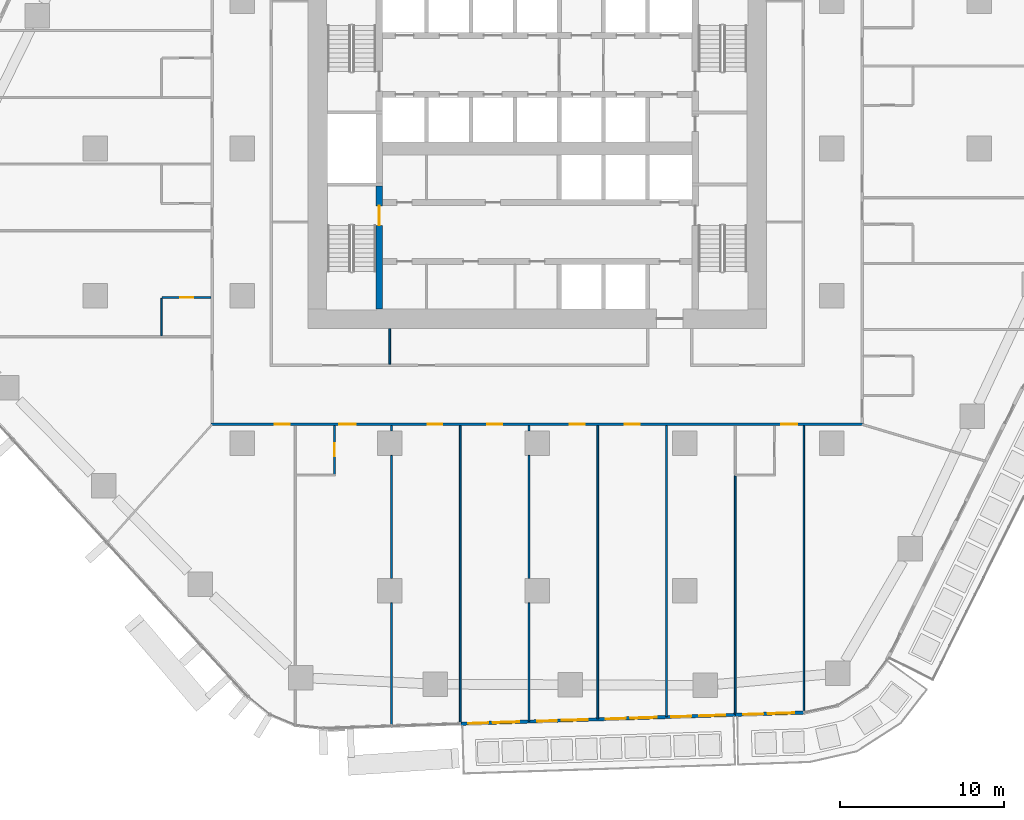
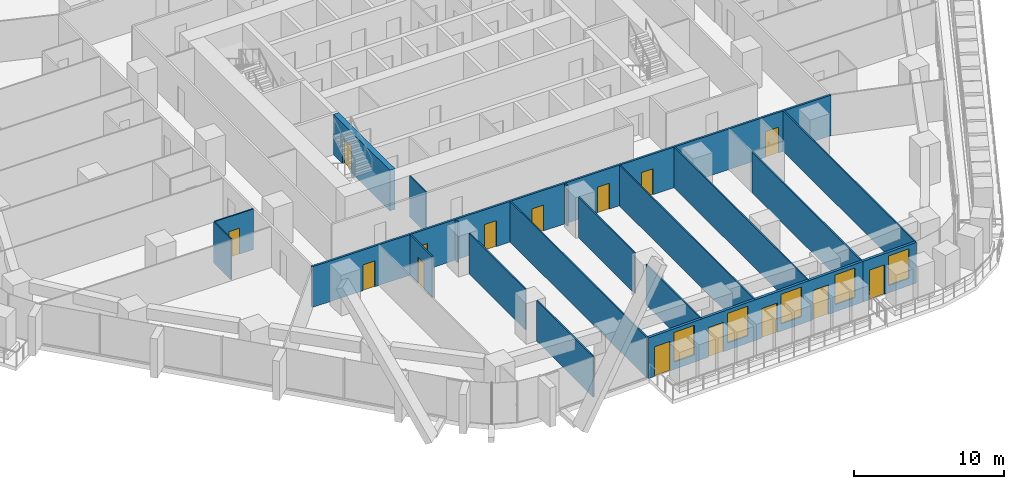
# One storey, part 13 of 27: 19 walls, 15 doors, 5 windows, 20 openings.
"""IFC4 building model written with IfcOpenShell, lengths in metres."""

from ifc_helpers import new_model, si_unit, direction, frame, frame_2d, origin, place, context, subcontext, project, spatial, rectangle, extrude, material, layer, layer_set, type_object, element, fill, save


model = new_model("IFC4")

# Units and contexts
model_context = context("Model", 3, precision=1e-05, world=origin(), true_north=direction((0.0, 1.0)))
body_context = subcontext(model_context, "Body", "Model", "MODEL_VIEW")
ifc_project = project(units=[si_unit("LENGTHUNIT", "METRE"), si_unit("AREAUNIT", "SQUARE_METRE"), si_unit("VOLUMEUNIT", "CUBIC_METRE"), si_unit("PLANEANGLEUNIT", "RADIAN"), si_unit("MASSUNIT", "GRAM", prefix="KILO")], contexts=[model_context])

# Site, building, storey
site_placement = place(None, origin())
site = spatial("IfcSite", under=ifc_project, at=site_placement, CompositionType="ELEMENT")
building_placement = place(site_placement, origin())
building = spatial("IfcBuilding", under=site, at=building_placement, Name="Dongbaek Canopy Tower", CompositionType="ELEMENT")
storey_placement = place(building_placement, frame((0.0, 0.0, 62.5)))
storey = spatial("IfcBuildingStorey", under=building, at=storey_placement, Name="L11", CompositionType="ELEMENT", Elevation=62.5)

# Wall, openings, doors
ifc_material_1 = material(Name="Gypsum board partition, steel stud, 2 x 15 mm fire board", Category="steel")
ifc_layer_1 = layer(ifc_material_1, 0.14990234375)
ifc_layer_set_1 = layer_set([ifc_layer_1], Name="Fire-rated partition 150 gypsum board")
wall_type_1 = type_object("IfcWallType", Name="Fire-rated partition 150 gypsum board", PredefinedType="PARTITIONING", material=ifc_layer_set_1)
wall_1_placement = place(storey_placement, frame((19.925048828125, -16.85009765625, 0.0), z_axis=(0.0, 0.0, 1.0), x_axis=(-1.0, 0.0, 0.0)))
wall_1 = element("IfcWall", 1, at=wall_1_placement, inside=storey, type_object=wall_type_1, Name="Corridor partition", PredefinedType="PARTITIONING", context=body_context, shape_type="SweptSolid", body=[
    extrude(rectangle(XDim=39.85009765625, YDim=0.14990234375, at=frame_2d((19.925048828125, 0.0))), origin(), (0.0, 0.0, 1.0), 3.300048828125),
])
opening_1_placement = place(wall_1_placement, frame((35.040771484375, 0.0, 0.0)))
opening_1 = element("IfcOpeningElement", 2, at=opening_1_placement, cuts=wall_1, Name="Opening L11-D006", PredefinedType="OPENING", context=body_context, shape_type="SweptSolid", body=[
    extrude(rectangle(XDim=0.89990234375, YDim=2.10009765625, at=frame_2d((0.449951171875, 1.050048828125))), frame((0.0, 0.0849609375, 0.0), z_axis=(0.0, -1.0, 0.0), x_axis=(1.0, 0.0, 0.0)), (0.0, 0.0, 1.0), 0.169921875),
])
opening_2_placement = place(wall_1_placement, frame((30.99951171875, 0.0, 0.0)))
opening_2 = element("IfcOpeningElement", 3, at=opening_2_placement, cuts=wall_1, Name="Opening L11-D008", PredefinedType="OPENING", context=body_context, shape_type="SweptSolid", body=[
    extrude(rectangle(XDim=1.0, YDim=2.10009765625, at=frame_2d((0.5, 1.050048828125))), frame((0.0, 0.0849609375, 0.0), z_axis=(0.0, -1.0, 0.0), x_axis=(1.0, 0.0, 0.0)), (0.0, 0.0, 1.0), 0.169921875),
])
opening_3_placement = place(wall_1_placement, frame((25.711181640625, 0.0, 0.0)))
opening_3 = element("IfcOpeningElement", 4, at=opening_3_placement, cuts=wall_1, Name="Opening L11-D009", PredefinedType="OPENING", context=body_context, shape_type="SweptSolid", body=[
    extrude(rectangle(XDim=0.89990234375, YDim=2.10009765625, at=frame_2d((0.449951171875, 1.050048828125))), frame((0.0, 0.0849609375, 0.0), z_axis=(0.0, -1.0, 0.0), x_axis=(1.0, 0.0, 0.0)), (0.0, 0.0, 1.0), 0.169921875),
])
opening_4_placement = place(wall_1_placement, frame((22.072021484375, 0.0, 0.0)))
opening_4 = element("IfcOpeningElement", 5, at=opening_4_placement, cuts=wall_1, Name="Opening L11-D010", PredefinedType="OPENING", context=body_context, shape_type="SweptSolid", body=[
    extrude(rectangle(XDim=0.89990234375, YDim=2.10009765625, at=frame_2d((0.449951171875, 1.050048828125))), frame((0.0, 0.0849609375, 0.0), z_axis=(0.0, -1.0, 0.0), x_axis=(1.0, 0.0, 0.0)), (0.0, 0.0, 1.0), 0.169921875),
])
opening_5_placement = place(wall_1_placement, frame((17.03369140625, 0.0, 0.0)))
opening_5 = element("IfcOpeningElement", 6, at=opening_5_placement, cuts=wall_1, Name="Opening L11-D011", PredefinedType="OPENING", context=body_context, shape_type="SweptSolid", body=[
    extrude(rectangle(XDim=0.89990234375, YDim=2.10009765625, at=frame_2d((0.449951171875, 1.050048828125))), frame((0.0, 0.0849609375, 0.0), z_axis=(0.0, -1.0, 0.0), x_axis=(1.0, 0.0, 0.0)), (0.0, 0.0, 1.0), 0.169921875),
])
opening_6_placement = place(wall_1_placement, frame((13.674560546875, 0.0, 0.0)))
opening_6 = element("IfcOpeningElement", 7, at=opening_6_placement, cuts=wall_1, Name="Opening L11-D012", PredefinedType="OPENING", context=body_context, shape_type="SweptSolid", body=[
    extrude(rectangle(XDim=0.89990234375, YDim=2.10009765625, at=frame_2d((0.449951171875, 1.050048828125))), frame((0.0, 0.0849609375, 0.0), z_axis=(0.0, -1.0, 0.0), x_axis=(1.0, 0.0, 0.0)), (0.0, 0.0, 1.0), 0.169921875),
])
opening_7_placement = place(wall_1_placement, frame((4.031494140625, 0.0, 0.0)))
opening_7 = element("IfcOpeningElement", 8, at=opening_7_placement, cuts=wall_1, Name="Opening L11-D014", PredefinedType="OPENING", context=body_context, shape_type="SweptSolid", body=[
    extrude(rectangle(XDim=1.0, YDim=2.10009765625, at=frame_2d((0.5, 1.050048828125))), frame((0.0, 0.0849609375, 0.0), z_axis=(0.0, -1.0, 0.0), x_axis=(1.0, 0.0, 0.0)), (0.0, 0.0, 1.0), 0.169921875),
])
ifc_material_2 = material(Name="Timber veneered door leaf", Category="wood")
door_type_1 = type_object("IfcDoorType", Name="Guest room door 1000 x 2100", OperationType="SINGLE_SWING_LEFT", PredefinedType="DOOR", material=ifc_material_2)
door_1_placement = place(opening_2_placement, origin())
door_1 = element("IfcDoor", 9, at=door_1_placement, inside=storey, type_object=door_type_1, Name="Door L11-D008", OperationType="SINGLE_SWING_RIGHT", OverallHeight=2.10009765625, OverallWidth=1.0, PredefinedType="DOOR", context=body_context, shape_type="SweptSolid", body=[
    extrude(rectangle(XDim=1.0, YDim=2.10009765625, at=frame_2d((0.5, 1.050048828125))), frame((0.0, 0.02490234375, 0.0), z_axis=(0.0, -1.0, 0.0), x_axis=(1.0, 0.0, 0.0)), (0.0, 0.0, 1.0), 0.050048828125),
])
fill(opening_2, door_1)
door_2_placement = place(opening_7_placement, origin())
door_2 = element("IfcDoor", 10, at=door_2_placement, inside=storey, type_object=door_type_1, Name="Door L11-D014", OperationType="SINGLE_SWING_RIGHT", OverallHeight=2.10009765625, OverallWidth=1.0, PredefinedType="DOOR", context=body_context, shape_type="SweptSolid", body=[
    extrude(rectangle(XDim=1.0, YDim=2.10009765625, at=frame_2d((0.5, 1.050048828125))), frame((0.0, 0.02490234375, 0.0), z_axis=(0.0, -1.0, 0.0), x_axis=(1.0, 0.0, 0.0)), (0.0, 0.0, 1.0), 0.050048828125),
])
fill(opening_7, door_2)
ifc_material_3 = material(Name="Timber veneered door leaf", Category="wood")
door_type_2 = type_object("IfcDoorType", Name="Room door 900 x 2100", OperationType="SINGLE_SWING_LEFT", PredefinedType="DOOR", material=ifc_material_3)
door_3_placement = place(opening_1_placement, origin())
door_3 = element("IfcDoor", 11, at=door_3_placement, inside=storey, type_object=door_type_2, Name="Door L11-D006", OperationType="SINGLE_SWING_LEFT", OverallHeight=2.10009765625, OverallWidth=0.89990234375, PredefinedType="DOOR", context=body_context, shape_type="SweptSolid", body=[
    extrude(rectangle(XDim=0.89990234375, YDim=2.10009765625, at=frame_2d((0.449951171875, 1.050048828125))), frame((0.0, 0.02490234375, 0.0), z_axis=(0.0, -1.0, 0.0), x_axis=(1.0, 0.0, 0.0)), (0.0, 0.0, 1.0), 0.050048828125),
])
fill(opening_1, door_3)
door_4_placement = place(opening_3_placement, origin())
door_4 = element("IfcDoor", 12, at=door_4_placement, inside=storey, type_object=door_type_2, Name="Door L11-D009", OperationType="SINGLE_SWING_LEFT", OverallHeight=2.10009765625, OverallWidth=0.89990234375, PredefinedType="DOOR", context=body_context, shape_type="SweptSolid", body=[
    extrude(rectangle(XDim=0.89990234375, YDim=2.10009765625, at=frame_2d((0.449951171875, 1.050048828125))), frame((0.0, 0.02490234375, 0.0), z_axis=(0.0, -1.0, 0.0), x_axis=(1.0, 0.0, 0.0)), (0.0, 0.0, 1.0), 0.050048828125),
])
fill(opening_3, door_4)
door_5_placement = place(opening_4_placement, origin())
door_5 = element("IfcDoor", 13, at=door_5_placement, inside=storey, type_object=door_type_2, Name="Door L11-D010", OperationType="SINGLE_SWING_RIGHT", OverallHeight=2.10009765625, OverallWidth=0.89990234375, PredefinedType="DOOR", context=body_context, shape_type="SweptSolid", body=[
    extrude(rectangle(XDim=0.89990234375, YDim=2.10009765625, at=frame_2d((0.449951171875, 1.050048828125))), frame((0.0, 0.02490234375, 0.0), z_axis=(0.0, -1.0, 0.0), x_axis=(1.0, 0.0, 0.0)), (0.0, 0.0, 1.0), 0.050048828125),
])
fill(opening_4, door_5)
door_6_placement = place(opening_5_placement, origin())
door_6 = element("IfcDoor", 14, at=door_6_placement, inside=storey, type_object=door_type_2, Name="Door L11-D011", OperationType="SINGLE_SWING_LEFT", OverallHeight=2.10009765625, OverallWidth=0.89990234375, PredefinedType="DOOR", context=body_context, shape_type="SweptSolid", body=[
    extrude(rectangle(XDim=0.89990234375, YDim=2.10009765625, at=frame_2d((0.449951171875, 1.050048828125))), frame((0.0, 0.02490234375, 0.0), z_axis=(0.0, -1.0, 0.0), x_axis=(1.0, 0.0, 0.0)), (0.0, 0.0, 1.0), 0.050048828125),
])
fill(opening_5, door_6)
door_7_placement = place(opening_6_placement, origin())
door_7 = element("IfcDoor", 15, at=door_7_placement, inside=storey, type_object=door_type_2, Name="Door L11-D012", OperationType="SINGLE_SWING_RIGHT", OverallHeight=2.10009765625, OverallWidth=0.89990234375, PredefinedType="DOOR", context=body_context, shape_type="SweptSolid", body=[
    extrude(rectangle(XDim=0.89990234375, YDim=2.10009765625, at=frame_2d((0.449951171875, 1.050048828125))), frame((0.0, 0.02490234375, 0.0), z_axis=(0.0, -1.0, 0.0), x_axis=(1.0, 0.0, 0.0)), (0.0, 0.0, 1.0), 0.050048828125),
])
fill(opening_6, door_7)

# Wall, opening, door
ifc_material_4 = material(Name="Gypsum board partition, steel stud, 2 x 12.5 mm board", Category="steel")
ifc_layer_2 = layer(ifc_material_4, 0.10009765625)
ifc_layer_set_2 = layer_set([ifc_layer_2], Name="Partition 100 gypsum board")
wall_type_2 = type_object("IfcWallType", Name="Partition 100 gypsum board", PredefinedType="PARTITIONING", material=ifc_layer_set_2)
wall_2_placement = place(storey_placement, frame((-19.925048828125, -9.097900390625, 0.0), z_axis=(0.0, 0.0, 1.0), x_axis=(-1.0, 0.0, 0.0)))
wall_2 = element("IfcWall", 16, at=wall_2_placement, inside=storey, type_object=wall_type_2, Name="Partition", PredefinedType="PARTITIONING", context=body_context, shape_type="SweptSolid", body=[
    extrude(rectangle(XDim=2.974853515625, YDim=0.10009765625, at=frame_2d((1.4873046875, 0.0))), origin(), (0.0, 0.0, 1.0), 3.300048828125),
])
opening_8_placement = place(wall_2_placement, frame((1.074951171875, 0.0, 0.0)))
opening_8 = element("IfcOpeningElement", 17, at=opening_8_placement, cuts=wall_2, Name="Opening L11-D003", PredefinedType="OPENING", context=body_context, shape_type="SweptSolid", body=[
    extrude(rectangle(XDim=0.800048828125, YDim=2.10009765625, at=frame_2d((0.39990234375, 1.050048828125))), frame((0.0, 0.06005859375, 0.0), z_axis=(0.0, -1.0, 0.0), x_axis=(1.0, 0.0, 0.0)), (0.0, 0.0, 1.0), 0.1201171875),
])
ifc_material_5 = material(Name="Timber veneered door leaf", Category="wood")
door_type_3 = type_object("IfcDoorType", Name="En-suite door 800 x 2100", OperationType="SINGLE_SWING_LEFT", PredefinedType="DOOR", material=ifc_material_5)
door_8_placement = place(opening_8_placement, origin())
door_8 = element("IfcDoor", 18, at=door_8_placement, inside=storey, type_object=door_type_3, Name="Door L11-D003", OperationType="SINGLE_SWING_RIGHT", OverallHeight=2.10009765625, OverallWidth=0.800048828125, PredefinedType="DOOR", context=body_context, shape_type="SweptSolid", body=[
    extrude(rectangle(XDim=0.800048828125, YDim=2.10009765625, at=frame_2d((0.39990234375, 1.050048828125))), frame((0.0, 0.02490234375, 0.0), z_axis=(0.0, -1.0, 0.0), x_axis=(1.0, 0.0, 0.0)), (0.0, 0.0, 1.0), 0.050048828125),
])
fill(opening_8, door_8)

# Walls
wall_3_placement = place(storey_placement, frame((16.2890625, -34.429931640625, 0.0), z_axis=(0.0, 0.0, 1.0), x_axis=(0.0, 1.0, 0.0)))
element("IfcWall", 19, at=wall_3_placement, inside=storey, type_object=wall_type_2, Name="Partition", PredefinedType="PARTITIONING", context=body_context, shape_type="SweptSolid", body=[
    extrude(rectangle(XDim=17.5048828125, YDim=0.10009765625, at=frame_2d((8.75244140625, 0.0))), origin(), (0.0, 0.0, 1.0), 3.300048828125),
])
wall_4_placement = place(storey_placement, frame((12.09912109375, -34.5673828125, 0.0), z_axis=(0.0, 0.0, 1.0), x_axis=(0.0, 1.0, 0.0)))
element("IfcWall", 20, at=wall_4_placement, inside=storey, type_object=wall_type_2, Name="Partition", PredefinedType="PARTITIONING", context=body_context, shape_type="SweptSolid", body=[
    extrude(rectangle(XDim=14.5673828125, YDim=0.10009765625, at=frame_2d((7.28369140625, 0.0))), origin(), (0.0, 0.0, 1.0), 3.300048828125),
])
wall_5_placement = place(storey_placement, frame((7.89990234375, -34.704345703125, 0.0), z_axis=(0.0, 0.0, 1.0), x_axis=(0.0, 1.0, 0.0)))
element("IfcWall", 21, at=wall_5_placement, inside=storey, type_object=wall_type_2, Name="Partition", PredefinedType="PARTITIONING", context=body_context, shape_type="SweptSolid", body=[
    extrude(rectangle(XDim=17.779296875, YDim=0.10009765625, at=frame_2d((8.8896484375, 0.0))), origin(), (0.0, 0.0, 1.0), 3.300048828125),
])
wall_6_placement = place(storey_placement, frame((3.700927734375, -34.841552734375, 0.0), z_axis=(0.0, 0.0, 1.0), x_axis=(0.0, 1.0, 0.0)))
element("IfcWall", 22, at=wall_6_placement, inside=storey, type_object=wall_type_2, Name="Partition", PredefinedType="PARTITIONING", context=body_context, shape_type="SweptSolid", body=[
    extrude(rectangle(XDim=17.91650390625, YDim=0.10009765625, at=frame_2d((8.958251953125, 0.0))), origin(), (0.0, 0.0, 1.0), 3.300048828125),
])
wall_7_placement = place(storey_placement, frame((-0.498046875, -34.978759765625, 0.0), z_axis=(0.0, 0.0, 1.0), x_axis=(0.0, 1.0, 0.0)))
element("IfcWall", 23, at=wall_7_placement, inside=storey, type_object=wall_type_2, Name="Partition", PredefinedType="PARTITIONING", context=body_context, shape_type="SweptSolid", body=[
    extrude(rectangle(XDim=7.228759765625, YDim=0.10009765625, at=frame_2d((3.6142578125, 0.0))), origin(), (0.0, 0.0, 1.0), 3.300048828125),
])
wall_8_placement = place(storey_placement, frame((-0.498046875, -26.25, 0.0), z_axis=(0.0, 0.0, 1.0), x_axis=(0.0, 1.0, 0.0)))
element("IfcWall", 24, at=wall_8_placement, inside=storey, type_object=wall_type_2, Name="Partition", PredefinedType="PARTITIONING", context=body_context, shape_type="SweptSolid", body=[
    extrude(rectangle(XDim=7.5, YDim=0.10009765625, at=frame_2d((3.75, 0.0))), origin(), (0.0, 0.0, 1.0), 3.300048828125),
])
wall_9_placement = place(storey_placement, frame((-0.498046875, -17.25, 0.0), z_axis=(0.0, 0.0, 1.0), x_axis=(0.0, 1.0, 0.0)))
element("IfcWall", 25, at=wall_9_placement, inside=storey, type_object=wall_type_2, Name="Partition", PredefinedType="PARTITIONING", context=body_context, shape_type="SweptSolid", body=[
    extrude(rectangle(XDim=0.324951171875, YDim=0.10009765625, at=frame_2d((0.16259765625, 0.0))), origin(), (0.0, 0.0, 1.0), 3.300048828125),
])
wall_10_placement = place(storey_placement, frame((-4.696044921875, -35.11572265625, 0.0), z_axis=(0.0, 0.0, 1.0), x_axis=(0.0, 1.0, 0.0)))
element("IfcWall", 26, at=wall_10_placement, inside=storey, type_object=wall_type_2, Name="Partition", PredefinedType="PARTITIONING", context=body_context, shape_type="SweptSolid", body=[
    extrude(rectangle(XDim=18.190673828125, YDim=0.10009765625, at=frame_2d((9.09521484375, 0.0))), origin(), (0.0, 0.0, 1.0), 3.300048828125),
])
wall_11_placement = place(storey_placement, frame((-8.89501953125, -35.2529296875, 0.0), z_axis=(0.0, 0.0, 1.0), x_axis=(0.0, 1.0, 0.0)))
element("IfcWall", 27, at=wall_11_placement, inside=storey, type_object=wall_type_2, Name="Partition", PredefinedType="PARTITIONING", context=body_context, shape_type="SweptSolid", body=[
    extrude(rectangle(XDim=7.5029296875, YDim=0.10009765625, at=frame_2d((3.75146484375, 0.0))), origin(), (0.0, 0.0, 1.0), 3.300048828125),
])
wall_12_placement = place(storey_placement, frame((-8.89501953125, -26.25, 0.0), z_axis=(0.0, 0.0, 1.0), x_axis=(0.0, 1.0, 0.0)))
element("IfcWall", 28, at=wall_12_placement, inside=storey, type_object=wall_type_2, Name="Partition", PredefinedType="PARTITIONING", context=body_context, shape_type="SweptSolid", body=[
    extrude(rectangle(XDim=7.5, YDim=0.10009765625, at=frame_2d((3.75, 0.0))), origin(), (0.0, 0.0, 1.0), 3.300048828125),
])
wall_13_placement = place(storey_placement, frame((-8.89501953125, -17.25, 0.0), z_axis=(0.0, 0.0, 1.0), x_axis=(0.0, 1.0, 0.0)))
element("IfcWall", 29, at=wall_13_placement, inside=storey, type_object=wall_type_2, Name="Partition", PredefinedType="PARTITIONING", context=body_context, shape_type="SweptSolid", body=[
    extrude(rectangle(XDim=0.324951171875, YDim=0.10009765625, at=frame_2d((0.16259765625, 0.0))), origin(), (0.0, 0.0, 1.0), 3.300048828125),
])
wall_14_placement = place(storey_placement, frame((-9.0, -13.175048828125, 0.0), z_axis=(0.0, 0.0, 1.0), x_axis=(0.0, 1.0, 0.0)))
element("IfcWall", 30, at=wall_14_placement, inside=storey, type_object=wall_type_2, Name="Partition", PredefinedType="PARTITIONING", context=body_context, shape_type="SweptSolid", body=[
    extrude(rectangle(XDim=2.175048828125, YDim=0.10009765625, at=frame_2d((1.08740234375, 0.0))), origin(), (0.0, 0.0, 1.0), 3.300048828125),
])

# Wall, opening, door
wall_15_placement = place(storey_placement, frame((-12.3740234375, -19.89990234375, 0.0), z_axis=(0.0, 0.0, 1.0), x_axis=(0.0, 1.0, 0.0)))
wall_15 = element("IfcWall", 31, at=wall_15_placement, inside=storey, type_object=wall_type_2, Name="Partition", PredefinedType="PARTITIONING", context=body_context, shape_type="SweptSolid", body=[
    extrude(rectangle(XDim=2.974853515625, YDim=0.10009765625, at=frame_2d((1.4873046875, 0.0))), origin(), (0.0, 0.0, 1.0), 3.300048828125),
])
opening_9_placement = place(wall_15_placement, frame((1.10009765625, 0.0, 0.0)))
opening_9 = element("IfcOpeningElement", 32, at=opening_9_placement, cuts=wall_15, Name="Opening L11-D007", PredefinedType="OPENING", context=body_context, shape_type="SweptSolid", body=[
    extrude(rectangle(XDim=0.800048828125, YDim=2.10009765625, at=frame_2d((0.39990234375, 1.050048828125))), frame((0.0, 0.06005859375, 0.0), z_axis=(0.0, -1.0, 0.0), x_axis=(1.0, 0.0, 0.0)), (0.0, 0.0, 1.0), 0.1201171875),
])
door_9_placement = place(opening_9_placement, origin())
door_9 = element("IfcDoor", 33, at=door_9_placement, inside=storey, type_object=door_type_3, Name="Door L11-D007", OperationType="SINGLE_SWING_LEFT", OverallHeight=2.10009765625, OverallWidth=0.800048828125, PredefinedType="DOOR", context=body_context, shape_type="SweptSolid", body=[
    extrude(rectangle(XDim=0.800048828125, YDim=2.10009765625, at=frame_2d((0.39990234375, 1.050048828125))), frame((0.0, 0.02490234375, 0.0), z_axis=(0.0, -1.0, 0.0), x_axis=(1.0, 0.0, 0.0)), (0.0, 0.0, 1.0), 0.050048828125),
])
fill(opening_9, door_9)

# Wall
wall_16_placement = place(storey_placement, frame((-22.949951171875, -11.447509765625, 0.0), z_axis=(0.0, 0.0, 1.0), x_axis=(0.0, 1.0, 0.0)))
element("IfcWall", 34, at=wall_16_placement, inside=storey, type_object=wall_type_2, Name="Partition", PredefinedType="PARTITIONING", context=body_context, shape_type="SweptSolid", body=[
    extrude(rectangle(XDim=2.2998046875, YDim=0.10009765625, at=frame_2d((1.14990234375, 0.0))), origin(), (0.0, 0.0, 1.0), 3.300048828125),
])

# Wall, opening, door
ifc_material_6 = material(Name="Concrete C60/75", Category="concrete")
ifc_layer_3 = layer(ifc_material_6, 0.39990234375)
ifc_layer_set_3 = layer_set([ifc_layer_3], Name="Stair wall 400 Concrete C60/75")
wall_type_3 = type_object("IfcWallType", Name="Stair wall 400 Concrete C60/75", PredefinedType="SHEAR", material=ifc_layer_set_3)
wall_17_placement = place(storey_placement, frame((-9.64990234375, -9.800048828125, 0.0), z_axis=(0.0, 0.0, 1.0), x_axis=(0.0, 1.0, 0.0)))
wall_17 = element("IfcWall", 35, at=wall_17_placement, inside=storey, type_object=wall_type_3, Name="Stair wall", PredefinedType="SHEAR", context=body_context, shape_type="SweptSolid", body=[
    extrude(rectangle(XDim=7.5, YDim=0.39990234375, at=frame_2d((3.75, 0.0))), origin(), (0.0, 0.0, 1.0), 3.300048828125),
])
opening_10_placement = place(wall_17_placement, frame((5.10009765625, 0.0, 0.0)))
opening_10 = element("IfcOpeningElement", 36, at=opening_10_placement, cuts=wall_17, Name="Opening L11-D071", PredefinedType="OPENING", context=body_context, shape_type="SweptSolid", body=[
    extrude(rectangle(XDim=1.199951171875, YDim=2.10009765625, at=frame_2d((0.60009765625, 1.050048828125))), frame((0.0, 0.2099609375, 0.0), z_axis=(0.0, -1.0, 0.0), x_axis=(1.0, 0.0, 0.0)), (0.0, 0.0, 1.0), 0.419921875),
])
ifc_material_7 = material(Name="Steel", Category="steel")
door_type_4 = type_object("IfcDoorType", Name="Stair door 1200 x 2100", OperationType="SINGLE_SWING_LEFT", PredefinedType="DOOR", material=ifc_material_7)
door_10_placement = place(opening_10_placement, origin())
door_10 = element("IfcDoor", 37, at=door_10_placement, inside=storey, type_object=door_type_4, Name="Stair D door", OperationType="SINGLE_SWING_LEFT", OverallHeight=2.10009765625, OverallWidth=1.199951171875, PredefinedType="DOOR", context=body_context, shape_type="SweptSolid", body=[
    extrude(rectangle(XDim=1.199951171875, YDim=2.10009765625, at=frame_2d((0.60009765625, 1.050048828125))), frame((0.0, 0.02490234375, 0.0), z_axis=(0.0, -1.0, 0.0), x_axis=(1.0, 0.0, 0.0)), (0.0, 0.0, 1.0), 0.050048828125),
])
fill(opening_10, door_10)

# Wall, openings, doors, windows
ifc_material_8 = material(Name="Aluminium window wall", Category="aluminium")
ifc_layer_4 = layer(ifc_material_8, 0.199951171875)
ifc_layer_set_4 = layer_set([ifc_layer_4], Name="Window wall 200")
wall_type_4 = type_object("IfcWallType", Name="Window wall 200", PredefinedType="SOLIDWALL", material=ifc_layer_set_4)
wall_18_placement = place(storey_placement, frame((-4.696533203125, -35.1357421875, 0.0), z_axis=(0.0, 0.0, 1.0), x_axis=(0.999466983916, 0.032645796998, 0.0)))
wall_18 = element("IfcWall", 38, at=wall_18_placement, inside=storey, type_object=wall_type_4, Name="Window wall L11 4", PredefinedType="SOLIDWALL", context=body_context, shape_type="SweptSolid", body=[
    extrude(rectangle(XDim=16.80419921875, YDim=0.199951171875, at=frame_2d((8.402099609375, 0.0))), origin(), (0.0, 0.0, 1.0), 3.300048828125),
])
opening_11_placement = place(wall_18_placement, frame((2.0, 0.0, 0.60009765625)))
opening_11 = element("IfcOpeningElement", 39, at=opening_11_placement, cuts=wall_18, Name="Opening W1", PredefinedType="OPENING", context=body_context, shape_type="SweptSolid", body=[
    extrude(rectangle(XDim=1.60009765625, YDim=2.39990234375, at=frame_2d((0.800048828125, 1.199951171875))), frame((0.0, 0.10986328125, 0.0), z_axis=(0.0, -1.0, 0.0), x_axis=(1.0, 0.0, 0.0)), (0.0, 0.0, 1.0), 0.219970703125),
])
opening_12_placement = place(wall_18_placement, frame((0.5, 0.0, 0.0)))
opening_12 = element("IfcOpeningElement", 40, at=opening_12_placement, cuts=wall_18, Name="Opening L11-B18", PredefinedType="OPENING", context=body_context, shape_type="SweptSolid", body=[
    extrude(rectangle(XDim=1.199951171875, YDim=2.39990234375, at=frame_2d((0.60009765625, 1.199951171875))), frame((0.0, 0.10986328125, 0.0), z_axis=(0.0, -1.0, 0.0), x_axis=(1.0, 0.0, 0.0)), (0.0, 0.0, 1.0), 0.219970703125),
])
opening_13_placement = place(wall_18_placement, frame((6.200927734375, 0.0, 0.60009765625)))
opening_13 = element("IfcOpeningElement", 41, at=opening_13_placement, cuts=wall_18, Name="Opening W1", PredefinedType="OPENING", context=body_context, shape_type="SweptSolid", body=[
    extrude(rectangle(XDim=1.60009765625, YDim=2.39990234375, at=frame_2d((0.800048828125, 1.199951171875))), frame((0.0, 0.10986328125, 0.0), z_axis=(0.0, -1.0, 0.0), x_axis=(1.0, 0.0, 0.0)), (0.0, 0.0, 1.0), 0.219970703125),
])
opening_14_placement = place(wall_18_placement, frame((4.700927734375, 0.0, 0.0)))
opening_14 = element("IfcOpeningElement", 42, at=opening_14_placement, cuts=wall_18, Name="Opening L11-B19", PredefinedType="OPENING", context=body_context, shape_type="SweptSolid", body=[
    extrude(rectangle(XDim=1.199951171875, YDim=2.39990234375, at=frame_2d((0.60009765625, 1.199951171875))), frame((0.0, 0.10986328125, 0.0), z_axis=(0.0, -1.0, 0.0), x_axis=(1.0, 0.0, 0.0)), (0.0, 0.0, 1.0), 0.219970703125),
])
opening_15_placement = place(wall_18_placement, frame((10.402099609375, 0.0, 0.60009765625)))
opening_15 = element("IfcOpeningElement", 43, at=opening_15_placement, cuts=wall_18, Name="Opening W1", PredefinedType="OPENING", context=body_context, shape_type="SweptSolid", body=[
    extrude(rectangle(XDim=1.60009765625, YDim=2.39990234375, at=frame_2d((0.800048828125, 1.199951171875))), frame((0.0, 0.10986328125, 0.0), z_axis=(0.0, -1.0, 0.0), x_axis=(1.0, 0.0, 0.0)), (0.0, 0.0, 1.0), 0.219970703125),
])
opening_16_placement = place(wall_18_placement, frame((8.902099609375, 0.0, 0.0)))
opening_16 = element("IfcOpeningElement", 44, at=opening_16_placement, cuts=wall_18, Name="Opening L11-B20", PredefinedType="OPENING", context=body_context, shape_type="SweptSolid", body=[
    extrude(rectangle(XDim=1.199951171875, YDim=2.39990234375, at=frame_2d((0.60009765625, 1.199951171875))), frame((0.0, 0.10986328125, 0.0), z_axis=(0.0, -1.0, 0.0), x_axis=(1.0, 0.0, 0.0)), (0.0, 0.0, 1.0), 0.219970703125),
])
opening_17_placement = place(wall_18_placement, frame((14.60302734375, 0.0, 0.60009765625)))
opening_17 = element("IfcOpeningElement", 45, at=opening_17_placement, cuts=wall_18, Name="Opening W1", PredefinedType="OPENING", context=body_context, shape_type="SweptSolid", body=[
    extrude(rectangle(XDim=1.60009765625, YDim=2.39990234375, at=frame_2d((0.800048828125, 1.199951171875))), frame((0.0, 0.10986328125, 0.0), z_axis=(0.0, -1.0, 0.0), x_axis=(1.0, 0.0, 0.0)), (0.0, 0.0, 1.0), 0.219970703125),
])
opening_18_placement = place(wall_18_placement, frame((12.903076171875, 0.0, 0.0)))
opening_18 = element("IfcOpeningElement", 46, at=opening_18_placement, cuts=wall_18, Name="Opening L11-B21", PredefinedType="OPENING", context=body_context, shape_type="SweptSolid", body=[
    extrude(rectangle(XDim=1.199951171875, YDim=2.39990234375, at=frame_2d((0.60009765625, 1.199951171875))), frame((0.0, 0.10986328125, 0.0), z_axis=(0.0, -1.0, 0.0), x_axis=(1.0, 0.0, 0.0)), (0.0, 0.0, 1.0), 0.219970703125),
])
ifc_material_9 = material(Name="Clear glazing in aluminium frame", Category="aluminium")
door_type_5 = type_object("IfcDoorType", Name="Balcony door BD1 1200 x 2400", OperationType="SLIDING_TO_LEFT", PredefinedType="DOOR", material=ifc_material_9)
door_11_placement = place(opening_12_placement, origin())
door_11 = element("IfcDoor", 47, at=door_11_placement, inside=storey, type_object=door_type_5, Name="Balcony door L11-B18", OperationType="SLIDING_TO_LEFT", OverallHeight=2.39990234375, OverallWidth=1.199951171875, PredefinedType="DOOR", context=body_context, shape_type="SweptSolid", body=[
    extrude(rectangle(XDim=1.199951171875, YDim=2.39990234375, at=frame_2d((0.60009765625, 1.199951171875))), frame((0.0, 0.02490234375, 0.0), z_axis=(0.0, -1.0, 0.0), x_axis=(1.0, 0.0, 0.0)), (0.0, 0.0, 1.0), 0.050048828125),
])
fill(opening_12, door_11)
door_12_placement = place(opening_14_placement, origin())
door_12 = element("IfcDoor", 48, at=door_12_placement, inside=storey, type_object=door_type_5, Name="Balcony door L11-B19", OperationType="SLIDING_TO_LEFT", OverallHeight=2.39990234375, OverallWidth=1.199951171875, PredefinedType="DOOR", context=body_context, shape_type="SweptSolid", body=[
    extrude(rectangle(XDim=1.199951171875, YDim=2.39990234375, at=frame_2d((0.60009765625, 1.199951171875))), frame((0.0, 0.02490234375, 0.0), z_axis=(0.0, -1.0, 0.0), x_axis=(1.0, 0.0, 0.0)), (0.0, 0.0, 1.0), 0.050048828125),
])
fill(opening_14, door_12)
door_13_placement = place(opening_16_placement, origin())
door_13 = element("IfcDoor", 49, at=door_13_placement, inside=storey, type_object=door_type_5, Name="Balcony door L11-B20", OperationType="SLIDING_TO_LEFT", OverallHeight=2.39990234375, OverallWidth=1.199951171875, PredefinedType="DOOR", context=body_context, shape_type="SweptSolid", body=[
    extrude(rectangle(XDim=1.199951171875, YDim=2.39990234375, at=frame_2d((0.60009765625, 1.199951171875))), frame((0.0, 0.02490234375, 0.0), z_axis=(0.0, -1.0, 0.0), x_axis=(1.0, 0.0, 0.0)), (0.0, 0.0, 1.0), 0.050048828125),
])
fill(opening_16, door_13)
door_14_placement = place(opening_18_placement, origin())
door_14 = element("IfcDoor", 50, at=door_14_placement, inside=storey, type_object=door_type_5, Name="Balcony door L11-B21", OperationType="SLIDING_TO_LEFT", OverallHeight=2.39990234375, OverallWidth=1.199951171875, PredefinedType="DOOR", context=body_context, shape_type="SweptSolid", body=[
    extrude(rectangle(XDim=1.199951171875, YDim=2.39990234375, at=frame_2d((0.60009765625, 1.199951171875))), frame((0.0, 0.02490234375, 0.0), z_axis=(0.0, -1.0, 0.0), x_axis=(1.0, 0.0, 0.0)), (0.0, 0.0, 1.0), 0.050048828125),
])
fill(opening_18, door_14)
ifc_material_10 = material(Name="Clear glazing in aluminium frame", Category="aluminium")
window_type = type_object("IfcWindowType", Name="Window W1 1600 x 2400", PartitioningType="SINGLE_PANEL", PredefinedType="WINDOW", material=ifc_material_10)
window_1_placement = place(opening_11_placement, origin())
window_1 = element("IfcWindow", 51, at=window_1_placement, inside=storey, type_object=window_type, Name="Window L11 4.1", OverallHeight=2.39990234375, OverallWidth=1.60009765625, PartitioningType="SINGLE_PANEL", PredefinedType="WINDOW", context=body_context, shape_type="SweptSolid", body=[
    extrude(rectangle(XDim=1.60009765625, YDim=2.39990234375, at=frame_2d((0.800048828125, 1.199951171875))), frame((0.0, 0.030029296875, 0.0), z_axis=(0.0, -1.0, 0.0), x_axis=(1.0, 0.0, 0.0)), (0.0, 0.0, 1.0), 0.06005859375),
])
fill(opening_11, window_1)
window_2_placement = place(opening_13_placement, origin())
window_2 = element("IfcWindow", 52, at=window_2_placement, inside=storey, type_object=window_type, Name="Window L11 4.2", OverallHeight=2.39990234375, OverallWidth=1.60009765625, PartitioningType="SINGLE_PANEL", PredefinedType="WINDOW", context=body_context, shape_type="SweptSolid", body=[
    extrude(rectangle(XDim=1.60009765625, YDim=2.39990234375, at=frame_2d((0.800048828125, 1.199951171875))), frame((0.0, 0.030029296875, 0.0), z_axis=(0.0, -1.0, 0.0), x_axis=(1.0, 0.0, 0.0)), (0.0, 0.0, 1.0), 0.06005859375),
])
fill(opening_13, window_2)
window_3_placement = place(opening_15_placement, origin())
window_3 = element("IfcWindow", 53, at=window_3_placement, inside=storey, type_object=window_type, Name="Window L11 4.3", OverallHeight=2.39990234375, OverallWidth=1.60009765625, PartitioningType="SINGLE_PANEL", PredefinedType="WINDOW", context=body_context, shape_type="SweptSolid", body=[
    extrude(rectangle(XDim=1.60009765625, YDim=2.39990234375, at=frame_2d((0.800048828125, 1.199951171875))), frame((0.0, 0.030029296875, 0.0), z_axis=(0.0, -1.0, 0.0), x_axis=(1.0, 0.0, 0.0)), (0.0, 0.0, 1.0), 0.06005859375),
])
fill(opening_15, window_3)
window_4_placement = place(opening_17_placement, origin())
window_4 = element("IfcWindow", 54, at=window_4_placement, inside=storey, type_object=window_type, Name="Window L11 4.4", OverallHeight=2.39990234375, OverallWidth=1.60009765625, PartitioningType="SINGLE_PANEL", PredefinedType="WINDOW", context=body_context, shape_type="SweptSolid", body=[
    extrude(rectangle(XDim=1.60009765625, YDim=2.39990234375, at=frame_2d((0.800048828125, 1.199951171875))), frame((0.0, 0.030029296875, 0.0), z_axis=(0.0, -1.0, 0.0), x_axis=(1.0, 0.0, 0.0)), (0.0, 0.0, 1.0), 0.06005859375),
])
fill(opening_17, window_4)

# Wall, openings, door, window
wall_19_placement = place(storey_placement, frame((12.0986328125, -34.587158203125, 0.0), z_axis=(0.0, 0.0, 1.0), x_axis=(0.999468058802, 0.032612872214, 0.0)))
wall_19 = element("IfcWall", 55, at=wall_19_placement, inside=storey, type_object=wall_type_4, Name="Window wall L11 8", PredefinedType="SOLIDWALL", context=body_context, shape_type="SweptSolid", body=[
    extrude(rectangle(XDim=4.192138671875, YDim=0.199951171875, at=frame_2d((2.09619140625, 0.0))), origin(), (0.0, 0.0, 1.0), 3.300048828125),
])
opening_19_placement = place(wall_19_placement, frame((2.0, 0.0, 0.60009765625)))
opening_19 = element("IfcOpeningElement", 56, at=opening_19_placement, cuts=wall_19, Name="Opening W1", PredefinedType="OPENING", context=body_context, shape_type="SweptSolid", body=[
    extrude(rectangle(XDim=1.60009765625, YDim=2.39990234375, at=frame_2d((0.800048828125, 1.199951171875))), frame((0.0, 0.10986328125, 0.0), z_axis=(0.0, -1.0, 0.0), x_axis=(1.0, 0.0, 0.0)), (0.0, 0.0, 1.0), 0.219970703125),
])
opening_20_placement = place(wall_19_placement, frame((0.5, 0.0, 0.0)))
opening_20 = element("IfcOpeningElement", 57, at=opening_20_placement, cuts=wall_19, Name="Opening L11-B22", PredefinedType="OPENING", context=body_context, shape_type="SweptSolid", body=[
    extrude(rectangle(XDim=1.199951171875, YDim=2.39990234375, at=frame_2d((0.60009765625, 1.199951171875))), frame((0.0, 0.10986328125, 0.0), z_axis=(0.0, -1.0, 0.0), x_axis=(1.0, 0.0, 0.0)), (0.0, 0.0, 1.0), 0.219970703125),
])
door_15_placement = place(opening_20_placement, origin())
door_15 = element("IfcDoor", 58, at=door_15_placement, inside=storey, type_object=door_type_5, Name="Balcony door L11-B22", OperationType="SLIDING_TO_LEFT", OverallHeight=2.39990234375, OverallWidth=1.199951171875, PredefinedType="DOOR", context=body_context, shape_type="SweptSolid", body=[
    extrude(rectangle(XDim=1.199951171875, YDim=2.39990234375, at=frame_2d((0.60009765625, 1.199951171875))), frame((0.0, 0.02490234375, 0.0), z_axis=(0.0, -1.0, 0.0), x_axis=(1.0, 0.0, 0.0)), (0.0, 0.0, 1.0), 0.050048828125),
])
fill(opening_20, door_15)
window_5_placement = place(opening_19_placement, origin())
window_5 = element("IfcWindow", 59, at=window_5_placement, inside=storey, type_object=window_type, Name="Window L11 8.1", OverallHeight=2.39990234375, OverallWidth=1.60009765625, PartitioningType="SINGLE_PANEL", PredefinedType="WINDOW", context=body_context, shape_type="SweptSolid", body=[
    extrude(rectangle(XDim=1.60009765625, YDim=2.39990234375, at=frame_2d((0.800048828125, 1.199951171875))), frame((0.0, 0.030029296875, 0.0), z_axis=(0.0, -1.0, 0.0), x_axis=(1.0, 0.0, 0.0)), (0.0, 0.0, 1.0), 0.06005859375),
])
fill(opening_19, window_5)

save(model, "model.ifc")
